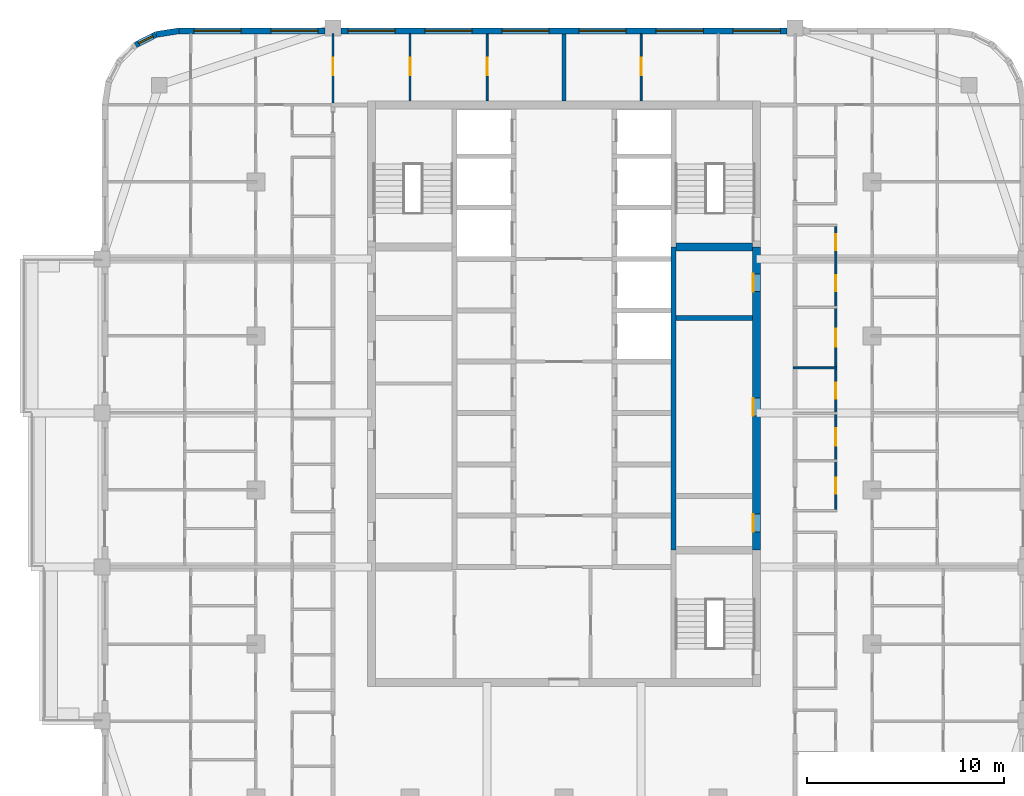
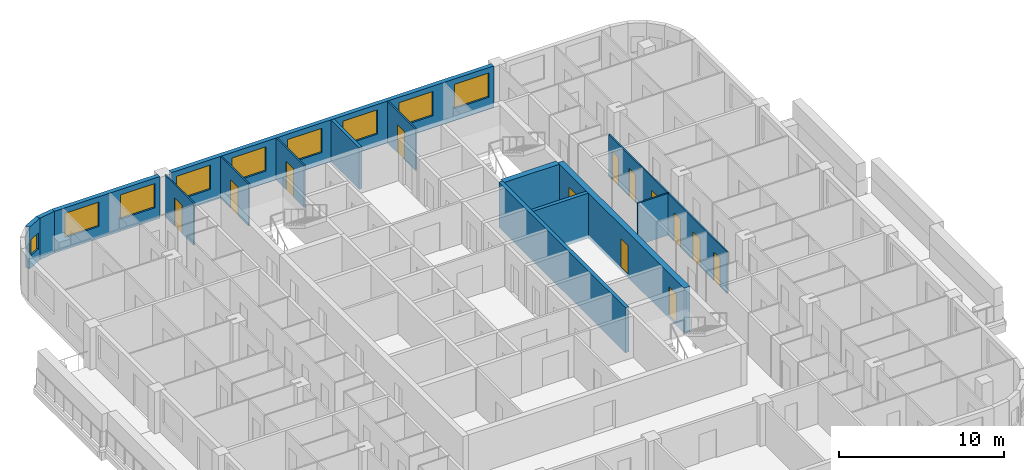
# One storey, part 10 of 16: 15 walls, 13 doors, 9 windows, 22 openings.
"""IFC4 building model written with IfcOpenShell, lengths in metres."""

from ifc_helpers import new_model, si_unit, direction, frame, frame_2d, origin, place, context, subcontext, project, spatial, rectangle, extrude, material, layer, layer_set, type_object, element, fill, save


model = new_model("IFC4")

# Units and contexts
model_context = context("Model", 3, precision=1e-05, world=origin(), true_north=direction((0.0, 1.0)))
body_context = subcontext(model_context, "Body", "Model", "MODEL_VIEW")
ifc_project = project(units=[si_unit("LENGTHUNIT", "METRE"), si_unit("AREAUNIT", "SQUARE_METRE"), si_unit("VOLUMEUNIT", "CUBIC_METRE"), si_unit("PLANEANGLEUNIT", "RADIAN"), si_unit("MASSUNIT", "GRAM", prefix="KILO")], contexts=[model_context])

# Site, building, storey
site_placement = place(None, origin())
site = spatial("IfcSite", under=ifc_project, at=site_placement, CompositionType="ELEMENT")
building_placement = place(site_placement, origin())
building = spatial("IfcBuilding", under=site, at=building_placement, Name="Ludao Terraces", CompositionType="ELEMENT")
storey_placement = place(building_placement, frame((0.0, 0.0, 238.10009765625)))
storey = spatial("IfcBuildingStorey", under=building, at=storey_placement, Name="L65", CompositionType="ELEMENT", Elevation=238.10009765625)

# Wall, openings, doors
ifc_material_1 = material(Name="Concrete C50", Category="concrete")
ifc_layer_1 = layer(ifc_material_1, 0.39990234375)
ifc_layer_set_1 = layer_set([ifc_layer_1], Name="Core wall 400 C50")
wall_type_1 = type_object("IfcWallType", Name="Core wall 400 C50", PredefinedType="SOLIDWALL", material=ifc_layer_set_1)
wall_1_placement = place(storey_placement, frame((94.75, 61.949951171875, -0.25), z_axis=(0.0, 0.0, 1.0), x_axis=(0.0, 1.0, 0.0)))
wall_1 = element("IfcWall", 1, at=wall_1_placement, inside=storey, type_object=wall_type_1, Name="Core wall L65 outer-E", PredefinedType="SOLIDWALL", context=body_context, shape_type="SweptSolid", body=[
    extrude(rectangle(XDim=15.35009765625, YDim=0.39990234375, at=frame_2d((7.675048828125, 0.0))), origin(), (0.0, 0.0, 1.0), 3.349853515625),
])
opening_1_placement = place(wall_1_placement, frame((0.925048828125, 0.0, 0.25)))
opening_1 = element("IfcOpeningElement", 2, at=opening_1_placement, cuts=wall_1, Name="Opening R23-059", PredefinedType="OPENING", context=body_context, shape_type="SweptSolid", body=[
    extrude(rectangle(XDim=0.89990234375, YDim=2.10009765625, at=frame_2d((0.449951171875, 1.050048828125))), frame((0.0, 0.2099609375, 0.0), z_axis=(0.0, -1.0, 0.0), x_axis=(1.0, 0.0, 0.0)), (0.0, 0.0, 1.0), 0.419921875),
])
opening_2_placement = place(wall_1_placement, frame((6.800048828125, 0.0, 0.25)))
opening_2 = element("IfcOpeningElement", 3, at=opening_2_placement, cuts=wall_1, Name="Opening R23-082", PredefinedType="OPENING", context=body_context, shape_type="SweptSolid", body=[
    extrude(rectangle(XDim=0.89990234375, YDim=2.10009765625, at=frame_2d((0.449951171875, 1.050048828125))), frame((0.0, 0.2099609375, 0.0), z_axis=(0.0, -1.0, 0.0), x_axis=(1.0, 0.0, 0.0)), (0.0, 0.0, 1.0), 0.419921875),
])
opening_3_placement = place(wall_1_placement, frame((13.10009765625, 0.0, 0.25)))
opening_3 = element("IfcOpeningElement", 4, at=opening_3_placement, cuts=wall_1, Name="Opening R23-105", PredefinedType="OPENING", context=body_context, shape_type="SweptSolid", body=[
    extrude(rectangle(XDim=0.89990234375, YDim=2.10009765625, at=frame_2d((0.449951171875, 1.050048828125))), frame((0.0, 0.2099609375, 0.0), z_axis=(0.0, -1.0, 0.0), x_axis=(1.0, 0.0, 0.0)), (0.0, 0.0, 1.0), 0.419921875),
])
ifc_material_2 = material(Name="Steel Q235", Category="steel")
door_type_1 = type_object("IfcDoorType", Name="INT Riser door 900", OperationType="SINGLE_SWING_LEFT", PredefinedType="DOOR", material=ifc_material_2)
door_1_placement = place(opening_1_placement, origin())
door_1 = element("IfcDoor", 5, at=door_1_placement, inside=storey, type_object=door_type_1, Name="DOOR 059", OperationType="SINGLE_SWING_LEFT", OverallHeight=2.10009765625, OverallWidth=0.89990234375, PredefinedType="DOOR", context=body_context, shape_type="SweptSolid", body=[
    extrude(rectangle(XDim=0.89990234375, YDim=2.10009765625, at=frame_2d((0.449951171875, 1.050048828125))), frame((0.0, 0.18505859375, 0.0), z_axis=(0.0, -1.0, 0.0), x_axis=(1.0, 0.0, 0.0)), (0.0, 0.0, 1.0), 0.050048828125),
])
fill(opening_1, door_1)
door_2_placement = place(opening_3_placement, origin())
door_2 = element("IfcDoor", 6, at=door_2_placement, inside=storey, type_object=door_type_1, Name="DOOR 105", OperationType="SINGLE_SWING_RIGHT", OverallHeight=2.10009765625, OverallWidth=0.89990234375, PredefinedType="DOOR", context=body_context, shape_type="SweptSolid", body=[
    extrude(rectangle(XDim=0.89990234375, YDim=2.10009765625, at=frame_2d((0.449951171875, 1.050048828125))), frame((0.0, 0.18505859375, 0.0), z_axis=(0.0, -1.0, 0.0), x_axis=(1.0, 0.0, 0.0)), (0.0, 0.0, 1.0), 0.050048828125),
])
fill(opening_3, door_2)
ifc_material_3 = material(Name="Timber door leaf", Category="wood")
door_type_2 = type_object("IfcDoorType", Name="INT Room door 900", OperationType="SINGLE_SWING_LEFT", PredefinedType="DOOR", material=ifc_material_3)
door_3_placement = place(opening_2_placement, origin())
door_3 = element("IfcDoor", 7, at=door_3_placement, inside=storey, type_object=door_type_2, Name="DOOR 082", OperationType="SINGLE_SWING_LEFT", OverallHeight=2.10009765625, OverallWidth=0.89990234375, PredefinedType="DOOR", context=body_context, shape_type="SweptSolid", body=[
    extrude(rectangle(XDim=0.89990234375, YDim=2.10009765625, at=frame_2d((0.449951171875, 1.050048828125))), frame((0.0, 0.18505859375, 0.0), z_axis=(0.0, -1.0, 0.0), x_axis=(1.0, 0.0, 0.0)), (0.0, 0.0, 1.0), 0.050048828125),
])
fill(opening_2, door_3)

# Wall, openings, windows
ifc_material_4 = material(Name="Granite cladding", Category="masonry")
ifc_layer_2 = layer(ifc_material_4, 0.0400390625, Category="stone")
ifc_material_5 = material(Name="Mineral wool")
ifc_layer_3 = layer(ifc_material_5, 0.06005859375)
ifc_material_6 = material(Name="Concrete C40", Category="concrete")
ifc_layer_4 = layer(ifc_material_6, 0.199951171875, Category="concrete")
ifc_layer_set_2 = layer_set([ifc_layer_2, ifc_layer_3, ifc_layer_4], Name="ENV Stone-clad wall 300")
wall_type_2 = type_object("IfcWallType", Name="ENV Stone-clad wall 300", PredefinedType="SOLIDWALL", material=ifc_layer_set_2)
wall_2_placement = place(storey_placement, frame((65.5, 88.25, 0.0), z_axis=(0.0, 0.0, 1.0), x_axis=(1.0, 0.0, 0.0)))
wall_2 = element("IfcWall", 8, at=wall_2_placement, inside=storey, type_object=wall_type_2, Name="EW-L65-N1", PredefinedType="SOLIDWALL", context=body_context, shape_type="SweptSolid", body=[
    extrude(rectangle(XDim=7.39990234375, YDim=0.300048828125, at=frame_2d((3.699951171875, 0.0))), origin(), (0.0, 0.0, 1.0), 3.099853515625),
])
opening_4_placement = place(wall_2_placement, frame((0.75, 0.0, 0.89990234375)))
opening_4 = element("IfcOpeningElement", 9, at=opening_4_placement, cuts=wall_2, Name="Opening W1", PredefinedType="OPENING", context=body_context, shape_type="SweptSolid", body=[
    extrude(rectangle(XDim=2.39990234375, YDim=1.800048828125, at=frame_2d((1.199951171875, 0.89990234375))), frame((0.0, 0.16015625, 0.0), z_axis=(0.0, -1.0, 0.0), x_axis=(1.0, 0.0, 0.0)), (0.0, 0.0, 1.0), 0.320068359375),
])
opening_5_placement = place(wall_2_placement, frame((4.64990234375, 0.0, 0.89990234375)))
opening_5 = element("IfcOpeningElement", 10, at=opening_5_placement, cuts=wall_2, Name="Opening W1", PredefinedType="OPENING", context=body_context, shape_type="SweptSolid", body=[
    extrude(rectangle(XDim=2.39990234375, YDim=1.800048828125, at=frame_2d((1.199951171875, 0.89990234375))), frame((0.0, 0.16015625, 0.0), z_axis=(0.0, -1.0, 0.0), x_axis=(1.0, 0.0, 0.0)), (0.0, 0.0, 1.0), 0.320068359375),
])
ifc_material_7 = material(Name="Clear glass in aluminium frame", Category="aluminium")
ifc_layer_5 = layer(ifc_material_7, 0.06005859375)
ifc_layer_set_3 = layer_set([ifc_layer_5], Name="ENV Window W1 2400x1800")
window_type_1 = type_object("IfcWindowType", Name="ENV Window W1 2400x1800", PartitioningType="DOUBLE_PANEL_VERTICAL", PredefinedType="WINDOW", material=ifc_layer_set_3)
window_1_placement = place(opening_4_placement, origin())
window_1 = element("IfcWindow", 11, at=window_1_placement, inside=storey, type_object=window_type_1, Name="W-L65-N1-1", OverallHeight=1.800048828125, OverallWidth=2.39990234375, PartitioningType="DOUBLE_PANEL_VERTICAL", PredefinedType="WINDOW", context=body_context, shape_type="SweptSolid", body=[
    extrude(rectangle(XDim=2.39990234375, YDim=1.800048828125, at=frame_2d((1.199951171875, 0.89990234375))), frame((0.0, 0.030029296875, 0.0), z_axis=(0.0, -1.0, 0.0), x_axis=(1.0, 0.0, 0.0)), (0.0, 0.0, 1.0), 0.06005859375),
])
fill(opening_4, window_1)
window_2_placement = place(opening_5_placement, origin())
window_2 = element("IfcWindow", 12, at=window_2_placement, inside=storey, type_object=window_type_1, Name="W-L65-N1-2", OverallHeight=1.800048828125, OverallWidth=2.39990234375, PartitioningType="DOUBLE_PANEL_VERTICAL", PredefinedType="WINDOW", context=body_context, shape_type="SweptSolid", body=[
    extrude(rectangle(XDim=2.39990234375, YDim=1.800048828125, at=frame_2d((1.199951171875, 0.89990234375))), frame((0.0, 0.030029296875, 0.0), z_axis=(0.0, -1.0, 0.0), x_axis=(1.0, 0.0, 0.0)), (0.0, 0.0, 1.0), 0.06005859375),
])
fill(opening_5, window_2)

wall_3_placement = place(storey_placement, frame((73.699951171875, 88.25, 0.0), z_axis=(0.0, 0.0, 1.0), x_axis=(1.0, 0.0, 0.0)))
wall_3 = element("IfcWall", 13, at=wall_3_placement, inside=storey, type_object=wall_type_2, Name="EW-L65-N2", PredefinedType="SOLIDWALL", context=body_context, shape_type="SweptSolid", body=[
    extrude(rectangle(XDim=22.60009765625, YDim=0.300048828125, at=frame_2d((11.300048828125, 0.0))), origin(), (0.0, 0.0, 1.0), 3.099853515625),
])
opening_6_placement = place(wall_3_placement, frame((0.35009765625, 0.0, 0.89990234375)))
opening_6 = element("IfcOpeningElement", 14, at=opening_6_placement, cuts=wall_3, Name="Opening W1", PredefinedType="OPENING", context=body_context, shape_type="SweptSolid", body=[
    extrude(rectangle(XDim=2.39990234375, YDim=1.800048828125, at=frame_2d((1.199951171875, 0.89990234375))), frame((0.0, 0.16015625, 0.0), z_axis=(0.0, -1.0, 0.0), x_axis=(1.0, 0.0, 0.0)), (0.0, 0.0, 1.0), 0.320068359375),
])
opening_7_placement = place(wall_3_placement, frame((4.25, 0.0, 0.89990234375)))
opening_7 = element("IfcOpeningElement", 15, at=opening_7_placement, cuts=wall_3, Name="Opening W1", PredefinedType="OPENING", context=body_context, shape_type="SweptSolid", body=[
    extrude(rectangle(XDim=2.39990234375, YDim=1.800048828125, at=frame_2d((1.199951171875, 0.89990234375))), frame((0.0, 0.16015625, 0.0), z_axis=(0.0, -1.0, 0.0), x_axis=(1.0, 0.0, 0.0)), (0.0, 0.0, 1.0), 0.320068359375),
])
opening_8_placement = place(wall_3_placement, frame((8.14990234375, 0.0, 0.89990234375)))
opening_8 = element("IfcOpeningElement", 16, at=opening_8_placement, cuts=wall_3, Name="Opening W1", PredefinedType="OPENING", context=body_context, shape_type="SweptSolid", body=[
    extrude(rectangle(XDim=2.39990234375, YDim=1.800048828125, at=frame_2d((1.199951171875, 0.89990234375))), frame((0.0, 0.16015625, 0.0), z_axis=(0.0, -1.0, 0.0), x_axis=(1.0, 0.0, 0.0)), (0.0, 0.0, 1.0), 0.320068359375),
])
opening_9_placement = place(wall_3_placement, frame((12.050048828125, 0.0, 0.89990234375)))
opening_9 = element("IfcOpeningElement", 17, at=opening_9_placement, cuts=wall_3, Name="Opening W1", PredefinedType="OPENING", context=body_context, shape_type="SweptSolid", body=[
    extrude(rectangle(XDim=2.39990234375, YDim=1.800048828125, at=frame_2d((1.199951171875, 0.89990234375))), frame((0.0, 0.16015625, 0.0), z_axis=(0.0, -1.0, 0.0), x_axis=(1.0, 0.0, 0.0)), (0.0, 0.0, 1.0), 0.320068359375),
])
opening_10_placement = place(wall_3_placement, frame((15.949951171875, 0.0, 0.89990234375)))
opening_10 = element("IfcOpeningElement", 18, at=opening_10_placement, cuts=wall_3, Name="Opening W1", PredefinedType="OPENING", context=body_context, shape_type="SweptSolid", body=[
    extrude(rectangle(XDim=2.39990234375, YDim=1.800048828125, at=frame_2d((1.199951171875, 0.89990234375))), frame((0.0, 0.16015625, 0.0), z_axis=(0.0, -1.0, 0.0), x_axis=(1.0, 0.0, 0.0)), (0.0, 0.0, 1.0), 0.320068359375),
])
opening_11_placement = place(wall_3_placement, frame((19.85009765625, 0.0, 0.89990234375)))
opening_11 = element("IfcOpeningElement", 19, at=opening_11_placement, cuts=wall_3, Name="Opening W1", PredefinedType="OPENING", context=body_context, shape_type="SweptSolid", body=[
    extrude(rectangle(XDim=2.39990234375, YDim=1.800048828125, at=frame_2d((1.199951171875, 0.89990234375))), frame((0.0, 0.16015625, 0.0), z_axis=(0.0, -1.0, 0.0), x_axis=(1.0, 0.0, 0.0)), (0.0, 0.0, 1.0), 0.320068359375),
])
window_3_placement = place(opening_6_placement, origin())
window_3 = element("IfcWindow", 20, at=window_3_placement, inside=storey, type_object=window_type_1, Name="W-L65-N2-1", OverallHeight=1.800048828125, OverallWidth=2.39990234375, PartitioningType="DOUBLE_PANEL_VERTICAL", PredefinedType="WINDOW", context=body_context, shape_type="SweptSolid", body=[
    extrude(rectangle(XDim=2.39990234375, YDim=1.800048828125, at=frame_2d((1.199951171875, 0.89990234375))), frame((0.0, 0.030029296875, 0.0), z_axis=(0.0, -1.0, 0.0), x_axis=(1.0, 0.0, 0.0)), (0.0, 0.0, 1.0), 0.06005859375),
])
fill(opening_6, window_3)
window_4_placement = place(opening_7_placement, origin())
window_4 = element("IfcWindow", 21, at=window_4_placement, inside=storey, type_object=window_type_1, Name="W-L65-N2-2", OverallHeight=1.800048828125, OverallWidth=2.39990234375, PartitioningType="DOUBLE_PANEL_VERTICAL", PredefinedType="WINDOW", context=body_context, shape_type="SweptSolid", body=[
    extrude(rectangle(XDim=2.39990234375, YDim=1.800048828125, at=frame_2d((1.199951171875, 0.89990234375))), frame((0.0, 0.030029296875, 0.0), z_axis=(0.0, -1.0, 0.0), x_axis=(1.0, 0.0, 0.0)), (0.0, 0.0, 1.0), 0.06005859375),
])
fill(opening_7, window_4)
window_5_placement = place(opening_8_placement, origin())
window_5 = element("IfcWindow", 22, at=window_5_placement, inside=storey, type_object=window_type_1, Name="W-L65-N2-3", OverallHeight=1.800048828125, OverallWidth=2.39990234375, PartitioningType="DOUBLE_PANEL_VERTICAL", PredefinedType="WINDOW", context=body_context, shape_type="SweptSolid", body=[
    extrude(rectangle(XDim=2.39990234375, YDim=1.800048828125, at=frame_2d((1.199951171875, 0.89990234375))), frame((0.0, 0.030029296875, 0.0), z_axis=(0.0, -1.0, 0.0), x_axis=(1.0, 0.0, 0.0)), (0.0, 0.0, 1.0), 0.06005859375),
])
fill(opening_8, window_5)
window_6_placement = place(opening_9_placement, origin())
window_6 = element("IfcWindow", 23, at=window_6_placement, inside=storey, type_object=window_type_1, Name="W-L65-N2-4", OverallHeight=1.800048828125, OverallWidth=2.39990234375, PartitioningType="DOUBLE_PANEL_VERTICAL", PredefinedType="WINDOW", context=body_context, shape_type="SweptSolid", body=[
    extrude(rectangle(XDim=2.39990234375, YDim=1.800048828125, at=frame_2d((1.199951171875, 0.89990234375))), frame((0.0, 0.030029296875, 0.0), z_axis=(0.0, -1.0, 0.0), x_axis=(1.0, 0.0, 0.0)), (0.0, 0.0, 1.0), 0.06005859375),
])
fill(opening_9, window_6)
window_7_placement = place(opening_10_placement, origin())
window_7 = element("IfcWindow", 24, at=window_7_placement, inside=storey, type_object=window_type_1, Name="W-L65-N2-5", OverallHeight=1.800048828125, OverallWidth=2.39990234375, PartitioningType="DOUBLE_PANEL_VERTICAL", PredefinedType="WINDOW", context=body_context, shape_type="SweptSolid", body=[
    extrude(rectangle(XDim=2.39990234375, YDim=1.800048828125, at=frame_2d((1.199951171875, 0.89990234375))), frame((0.0, 0.030029296875, 0.0), z_axis=(0.0, -1.0, 0.0), x_axis=(1.0, 0.0, 0.0)), (0.0, 0.0, 1.0), 0.06005859375),
])
fill(opening_10, window_7)
window_8_placement = place(opening_11_placement, origin())
window_8 = element("IfcWindow", 25, at=window_8_placement, inside=storey, type_object=window_type_1, Name="W-L65-N2-6", OverallHeight=1.800048828125, OverallWidth=2.39990234375, PartitioningType="DOUBLE_PANEL_VERTICAL", PredefinedType="WINDOW", context=body_context, shape_type="SweptSolid", body=[
    extrude(rectangle(XDim=2.39990234375, YDim=1.800048828125, at=frame_2d((1.199951171875, 0.89990234375))), frame((0.0, 0.030029296875, 0.0), z_axis=(0.0, -1.0, 0.0), x_axis=(1.0, 0.0, 0.0)), (0.0, 0.0, 1.0), 0.06005859375),
])
fill(opening_11, window_8)

# Wall
wall_4_placement = place(storey_placement, frame((65.5, 88.25, 0.0), z_axis=(0.0, 0.0, 1.0), x_axis=(-0.987678452879, -0.156496880861, 0.0)))
element("IfcWall", 26, at=wall_4_placement, inside=storey, type_object=wall_type_2, Name="EW-L65-NW1", PredefinedType="SOLIDWALL", context=body_context, shape_type="SweptSolid", body=[
    extrude(rectangle(XDim=1.173095703125, YDim=0.300048828125, at=frame_2d((0.58642578125, 0.0))), origin(), (0.0, 0.0, 1.0), 3.099853515625),
])

# Wall, opening, window
wall_5_placement = place(storey_placement, frame((64.34130859375, 88.06640625, 0.0), z_axis=(0.0, 0.0, 1.0), x_axis=(-0.890988677504, -0.454025524128, 0.0)))
wall_5 = element("IfcWall", 27, at=wall_5_placement, inside=storey, type_object=wall_type_2, Name="EW-L65-NW2", PredefinedType="SOLIDWALL", context=body_context, shape_type="SweptSolid", body=[
    extrude(rectangle(XDim=1.17333984375, YDim=0.300048828125, at=frame_2d((0.586669921875, 0.0))), origin(), (0.0, 0.0, 1.0), 3.099853515625),
])
opening_12_placement = place(wall_5_placement, frame((0.1865234375, 0.0, 0.89990234375)))
opening_12 = element("IfcOpeningElement", 28, at=opening_12_placement, cuts=wall_5, Name="Opening W3", PredefinedType="OPENING", context=body_context, shape_type="SweptSolid", body=[
    extrude(rectangle(XDim=0.800048828125, YDim=1.199951171875, at=frame_2d((0.39990234375, 0.60009765625))), frame((0.0, 0.16015625, 0.0), z_axis=(0.0, -1.0, 0.0), x_axis=(1.0, 0.0, 0.0)), (0.0, 0.0, 1.0), 0.320068359375),
])
ifc_layer_6 = layer(ifc_material_7, 0.06005859375)
ifc_layer_set_4 = layer_set([ifc_layer_6], Name="ENV Window W3 800x1200")
window_type_2 = type_object("IfcWindowType", Name="ENV Window W3 800x1200", PartitioningType="SINGLE_PANEL", PredefinedType="WINDOW", material=ifc_layer_set_4)
window_9_placement = place(opening_12_placement, origin())
window_9 = element("IfcWindow", 29, at=window_9_placement, inside=storey, type_object=window_type_2, Name="W-L65-NW2", OverallHeight=1.199951171875, OverallWidth=0.800048828125, PartitioningType="SINGLE_PANEL", PredefinedType="WINDOW", context=body_context, shape_type="SweptSolid", body=[
    extrude(rectangle(XDim=0.800048828125, YDim=1.199951171875, at=frame_2d((0.39990234375, 0.60009765625))), frame((0.0, 0.030029296875, 0.0), z_axis=(0.0, -1.0, 0.0), x_axis=(1.0, 0.0, 0.0)), (0.0, 0.0, 1.0), 0.06005859375),
])
fill(opening_12, window_9)

# Wall
ifc_material_8 = material(Name="Gypsum plasterboard", Category="gypsum")
ifc_layer_7 = layer(ifc_material_8, 0.012451171875, Category="gypsum")
ifc_layer_8 = layer(ifc_material_5, 0.06005859375, Name="insulation")
ifc_layer_9 = layer(ifc_material_2, 0.014892578125, Name="stud")
ifc_layer_10 = layer(ifc_material_8, 0.012451171875, Category="gypsum")
ifc_layer_set_5 = layer_set([ifc_layer_7, ifc_layer_8, ifc_layer_9, ifc_layer_10], Name="INT Partition 100")
wall_type_3 = type_object("IfcWallType", Name="INT Partition 100", PredefinedType="PARTITIONING", material=ifc_layer_set_5)
wall_6_placement = place(storey_placement, frame((96.60009765625, 71.179931640625, 0.0), z_axis=(0.0, 0.0, 1.0), x_axis=(1.0, 0.0, 0.0)))
element("IfcWall", 30, at=wall_6_placement, inside=storey, type_object=wall_type_3, Name="PW-L65-PW049", PredefinedType="PARTITIONING", context=body_context, shape_type="SweptSolid", body=[
    extrude(rectangle(XDim=2.219970703125, YDim=0.10009765625, at=frame_2d((1.10986328125, 0.0))), origin(), (0.0, 0.0, 1.0), 3.099853515625),
])

# Wall, opening, door
wall_7_placement = place(storey_placement, frame((73.300048828125, 84.60009765625, 0.0), z_axis=(0.0, 0.0, 1.0), x_axis=(0.0, 1.0, 0.0)))
wall_7 = element("IfcWall", 31, at=wall_7_placement, inside=storey, type_object=wall_type_3, Name="PW-L65-PW081", PredefinedType="PARTITIONING", context=body_context, shape_type="SweptSolid", body=[
    extrude(rectangle(XDim=3.5, YDim=0.10009765625, at=frame_2d((1.75, 0.0))), origin(), (0.0, 0.0, 1.0), 3.099853515625),
])
opening_13_placement = place(wall_7_placement, frame((1.39990234375, 0.0, 0.0)))
opening_13 = element("IfcOpeningElement", 32, at=opening_13_placement, cuts=wall_7, Name="Opening R23-137", PredefinedType="OPENING", context=body_context, shape_type="SweptSolid", body=[
    extrude(rectangle(XDim=0.89990234375, YDim=2.10009765625, at=frame_2d((0.449951171875, 1.050048828125))), frame((0.0, 0.06005859375, 0.0), z_axis=(0.0, -1.0, 0.0), x_axis=(1.0, 0.0, 0.0)), (0.0, 0.0, 1.0), 0.1201171875),
])
door_4_placement = place(opening_13_placement, origin())
door_4 = element("IfcDoor", 33, at=door_4_placement, inside=storey, type_object=door_type_2, Name="DOOR 137", OperationType="SINGLE_SWING_LEFT", OverallHeight=2.10009765625, OverallWidth=0.89990234375, PredefinedType="DOOR", context=body_context, shape_type="SweptSolid", body=[
    extrude(rectangle(XDim=0.89990234375, YDim=2.10009765625, at=frame_2d((0.449951171875, 1.050048828125))), frame((0.0, 0.02490234375, 0.0), z_axis=(0.0, -1.0, 0.0), x_axis=(1.0, 0.0, 0.0)), (0.0, 0.0, 1.0), 0.050048828125),
])
fill(opening_13, door_4)

wall_8_placement = place(storey_placement, frame((77.199951171875, 84.7001953125, 0.0), z_axis=(0.0, 0.0, 1.0), x_axis=(0.0, 1.0, 0.0)))
wall_8 = element("IfcWall", 34, at=wall_8_placement, inside=storey, type_object=wall_type_3, Name="PW-L65-PW082", PredefinedType="PARTITIONING", context=body_context, shape_type="SweptSolid", body=[
    extrude(rectangle(XDim=3.39990234375, YDim=0.10009765625, at=frame_2d((1.699951171875, 0.0))), origin(), (0.0, 0.0, 1.0), 3.099853515625),
])
opening_14_placement = place(wall_8_placement, frame((1.2998046875, 0.0, 0.0)))
opening_14 = element("IfcOpeningElement", 35, at=opening_14_placement, cuts=wall_8, Name="Opening R23-138", PredefinedType="OPENING", context=body_context, shape_type="SweptSolid", body=[
    extrude(rectangle(XDim=0.89990234375, YDim=2.10009765625, at=frame_2d((0.449951171875, 1.050048828125))), frame((0.0, 0.06005859375, 0.0), z_axis=(0.0, -1.0, 0.0), x_axis=(1.0, 0.0, 0.0)), (0.0, 0.0, 1.0), 0.1201171875),
])
door_5_placement = place(opening_14_placement, origin())
door_5 = element("IfcDoor", 36, at=door_5_placement, inside=storey, type_object=door_type_2, Name="DOOR 138", OperationType="SINGLE_SWING_LEFT", OverallHeight=2.10009765625, OverallWidth=0.89990234375, PredefinedType="DOOR", context=body_context, shape_type="SweptSolid", body=[
    extrude(rectangle(XDim=0.89990234375, YDim=2.10009765625, at=frame_2d((0.449951171875, 1.050048828125))), frame((0.0, 0.02490234375, 0.0), z_axis=(0.0, -1.0, 0.0), x_axis=(1.0, 0.0, 0.0)), (0.0, 0.0, 1.0), 0.050048828125),
])
fill(opening_14, door_5)

wall_9_placement = place(storey_placement, frame((81.10009765625, 84.7001953125, 0.0), z_axis=(0.0, 0.0, 1.0), x_axis=(0.0, 1.0, 0.0)))
wall_9 = element("IfcWall", 37, at=wall_9_placement, inside=storey, type_object=wall_type_3, Name="PW-L65-PW085", PredefinedType="PARTITIONING", context=body_context, shape_type="SweptSolid", body=[
    extrude(rectangle(XDim=3.39990234375, YDim=0.10009765625, at=frame_2d((1.699951171875, 0.0))), origin(), (0.0, 0.0, 1.0), 3.099853515625),
])
opening_15_placement = place(wall_9_placement, frame((1.2998046875, 0.0, 0.0)))
opening_15 = element("IfcOpeningElement", 38, at=opening_15_placement, cuts=wall_9, Name="Opening R23-139", PredefinedType="OPENING", context=body_context, shape_type="SweptSolid", body=[
    extrude(rectangle(XDim=0.89990234375, YDim=2.10009765625, at=frame_2d((0.449951171875, 1.050048828125))), frame((0.0, 0.06005859375, 0.0), z_axis=(0.0, -1.0, 0.0), x_axis=(1.0, 0.0, 0.0)), (0.0, 0.0, 1.0), 0.1201171875),
])
door_6_placement = place(opening_15_placement, origin())
door_6 = element("IfcDoor", 39, at=door_6_placement, inside=storey, type_object=door_type_2, Name="DOOR 139", OperationType="SINGLE_SWING_LEFT", OverallHeight=2.10009765625, OverallWidth=0.89990234375, PredefinedType="DOOR", context=body_context, shape_type="SweptSolid", body=[
    extrude(rectangle(XDim=0.89990234375, YDim=2.10009765625, at=frame_2d((0.449951171875, 1.050048828125))), frame((0.0, 0.02490234375, 0.0), z_axis=(0.0, -1.0, 0.0), x_axis=(1.0, 0.0, 0.0)), (0.0, 0.0, 1.0), 0.050048828125),
])
fill(opening_15, door_6)

wall_10_placement = place(storey_placement, frame((88.89990234375, 84.7001953125, 0.0), z_axis=(0.0, 0.0, 1.0), x_axis=(0.0, 1.0, 0.0)))
wall_10 = element("IfcWall", 40, at=wall_10_placement, inside=storey, type_object=wall_type_3, Name="PW-L65-PW089", PredefinedType="PARTITIONING", context=body_context, shape_type="SweptSolid", body=[
    extrude(rectangle(XDim=3.39990234375, YDim=0.10009765625, at=frame_2d((1.699951171875, 0.0))), origin(), (0.0, 0.0, 1.0), 3.099853515625),
])
opening_16_placement = place(wall_10_placement, frame((1.2998046875, 0.0, 0.0)))
opening_16 = element("IfcOpeningElement", 41, at=opening_16_placement, cuts=wall_10, Name="Opening R23-140", PredefinedType="OPENING", context=body_context, shape_type="SweptSolid", body=[
    extrude(rectangle(XDim=0.89990234375, YDim=2.10009765625, at=frame_2d((0.449951171875, 1.050048828125))), frame((0.0, 0.06005859375, 0.0), z_axis=(0.0, -1.0, 0.0), x_axis=(1.0, 0.0, 0.0)), (0.0, 0.0, 1.0), 0.1201171875),
])
door_7_placement = place(opening_16_placement, origin())
door_7 = element("IfcDoor", 42, at=door_7_placement, inside=storey, type_object=door_type_2, Name="DOOR 140", OperationType="SINGLE_SWING_RIGHT", OverallHeight=2.10009765625, OverallWidth=0.89990234375, PredefinedType="DOOR", context=body_context, shape_type="SweptSolid", body=[
    extrude(rectangle(XDim=0.89990234375, YDim=2.10009765625, at=frame_2d((0.449951171875, 1.050048828125))), frame((0.0, 0.02490234375, 0.0), z_axis=(0.0, -1.0, 0.0), x_axis=(1.0, 0.0, 0.0)), (0.0, 0.0, 1.0), 0.050048828125),
])
fill(opening_16, door_7)

# Wall, openings, doors
wall_11_placement = place(storey_placement, frame((98.77001953125, 64.0, 0.0), z_axis=(0.0, 0.0, 1.0), x_axis=(0.0, 1.0, 0.0)))
wall_11 = element("IfcWall", 43, at=wall_11_placement, inside=storey, type_object=wall_type_3, Name="PW-L65-PW097", PredefinedType="PARTITIONING", context=body_context, shape_type="SweptSolid", body=[
    extrude(rectangle(XDim=14.35009765625, YDim=0.10009765625, at=frame_2d((7.175048828125, 0.0))), origin(), (0.0, 0.0, 1.0), 3.099853515625),
])
opening_17_placement = place(wall_11_placement, frame((0.815185546875, 0.0, 0.0)))
opening_17 = element("IfcOpeningElement", 44, at=opening_17_placement, cuts=wall_11, Name="Opening R23-070", PredefinedType="OPENING", context=body_context, shape_type="SweptSolid", body=[
    extrude(rectangle(XDim=0.800048828125, YDim=2.10009765625, at=frame_2d((0.39990234375, 1.050048828125))), frame((0.0, 0.06005859375, 0.0), z_axis=(0.0, -1.0, 0.0), x_axis=(1.0, 0.0, 0.0)), (0.0, 0.0, 1.0), 0.1201171875),
])
opening_18_placement = place(wall_11_placement, frame((3.22998046875, 0.0, 0.0)))
opening_18 = element("IfcOpeningElement", 45, at=opening_18_placement, cuts=wall_11, Name="Opening R23-077", PredefinedType="OPENING", context=body_context, shape_type="SweptSolid", body=[
    extrude(rectangle(XDim=0.89990234375, YDim=2.10009765625, at=frame_2d((0.449951171875, 1.050048828125))), frame((0.0, 0.06005859375, 0.0), z_axis=(0.0, -1.0, 0.0), x_axis=(1.0, 0.0, 0.0)), (0.0, 0.0, 1.0), 0.1201171875),
])
opening_19_placement = place(wall_11_placement, frame((5.630126953125, 0.0, 0.0)))
opening_19 = element("IfcOpeningElement", 46, at=opening_19_placement, cuts=wall_11, Name="Opening R23-084", PredefinedType="OPENING", context=body_context, shape_type="SweptSolid", body=[
    extrude(rectangle(XDim=0.800048828125, YDim=2.10009765625, at=frame_2d((0.39990234375, 1.050048828125))), frame((0.0, 0.06005859375, 0.0), z_axis=(0.0, -1.0, 0.0), x_axis=(1.0, 0.0, 0.0)), (0.0, 0.0, 1.0), 0.1201171875),
])
opening_20_placement = place(wall_11_placement, frame((8.26513671875, 0.0, 0.0)))
opening_20 = element("IfcOpeningElement", 47, at=opening_20_placement, cuts=wall_11, Name="Opening R23-094", PredefinedType="OPENING", context=body_context, shape_type="SweptSolid", body=[
    extrude(rectangle(XDim=0.89990234375, YDim=2.10009765625, at=frame_2d((0.449951171875, 1.050048828125))), frame((0.0, 0.06005859375, 0.0), z_axis=(0.0, -1.0, 0.0), x_axis=(1.0, 0.0, 0.0)), (0.0, 0.0, 1.0), 0.1201171875),
])
opening_21_placement = place(wall_11_placement, frame((11.0751953125, 0.0, 0.0)))
opening_21 = element("IfcOpeningElement", 48, at=opening_21_placement, cuts=wall_11, Name="Opening R23-103", PredefinedType="OPENING", context=body_context, shape_type="SweptSolid", body=[
    extrude(rectangle(XDim=0.800048828125, YDim=2.10009765625, at=frame_2d((0.39990234375, 1.050048828125))), frame((0.0, 0.06005859375, 0.0), z_axis=(0.0, -1.0, 0.0), x_axis=(1.0, 0.0, 0.0)), (0.0, 0.0, 1.0), 0.1201171875),
])
opening_22_placement = place(wall_11_placement, frame((13.150146484375, 0.0, 0.0)))
opening_22 = element("IfcOpeningElement", 49, at=opening_22_placement, cuts=wall_11, Name="Opening R23-109", PredefinedType="OPENING", context=body_context, shape_type="SweptSolid", body=[
    extrude(rectangle(XDim=0.800048828125, YDim=2.10009765625, at=frame_2d((0.39990234375, 1.050048828125))), frame((0.0, 0.06005859375, 0.0), z_axis=(0.0, -1.0, 0.0), x_axis=(1.0, 0.0, 0.0)), (0.0, 0.0, 1.0), 0.1201171875),
])
door_type_3 = type_object("IfcDoorType", Name="INT Bathroom door 900", OperationType="SINGLE_SWING_LEFT", PredefinedType="DOOR", material=ifc_material_3)
door_8_placement = place(opening_18_placement, origin())
door_8 = element("IfcDoor", 50, at=door_8_placement, inside=storey, type_object=door_type_3, Name="DOOR 077", OperationType="SINGLE_SWING_LEFT", OverallHeight=2.10009765625, OverallWidth=0.89990234375, PredefinedType="DOOR", context=body_context, shape_type="SweptSolid", body=[
    extrude(rectangle(XDim=0.89990234375, YDim=2.10009765625, at=frame_2d((0.449951171875, 1.050048828125))), frame((0.0, 0.02490234375, 0.0), z_axis=(0.0, -1.0, 0.0), x_axis=(1.0, 0.0, 0.0)), (0.0, 0.0, 1.0), 0.050048828125),
])
fill(opening_18, door_8)
door_9_placement = place(opening_20_placement, origin())
door_9 = element("IfcDoor", 51, at=door_9_placement, inside=storey, type_object=door_type_2, Name="DOOR 094", OperationType="SINGLE_SWING_LEFT", OverallHeight=2.10009765625, OverallWidth=0.89990234375, PredefinedType="DOOR", context=body_context, shape_type="SweptSolid", body=[
    extrude(rectangle(XDim=0.89990234375, YDim=2.10009765625, at=frame_2d((0.449951171875, 1.050048828125))), frame((0.0, 0.02490234375, 0.0), z_axis=(0.0, -1.0, 0.0), x_axis=(1.0, 0.0, 0.0)), (0.0, 0.0, 1.0), 0.050048828125),
])
fill(opening_20, door_9)
door_type_4 = type_object("IfcDoorType", Name="INT Store door 800", OperationType="SINGLE_SWING_LEFT", PredefinedType="DOOR", material=ifc_material_3)
door_10_placement = place(opening_17_placement, origin())
door_10 = element("IfcDoor", 52, at=door_10_placement, inside=storey, type_object=door_type_4, Name="DOOR 070", OperationType="SINGLE_SWING_LEFT", OverallHeight=2.10009765625, OverallWidth=0.800048828125, PredefinedType="DOOR", context=body_context, shape_type="SweptSolid", body=[
    extrude(rectangle(XDim=0.800048828125, YDim=2.10009765625, at=frame_2d((0.39990234375, 1.050048828125))), frame((0.0, 0.02490234375, 0.0), z_axis=(0.0, -1.0, 0.0), x_axis=(1.0, 0.0, 0.0)), (0.0, 0.0, 1.0), 0.050048828125),
])
fill(opening_17, door_10)
door_11_placement = place(opening_19_placement, origin())
door_11 = element("IfcDoor", 53, at=door_11_placement, inside=storey, type_object=door_type_4, Name="DOOR 084", OperationType="SINGLE_SWING_LEFT", OverallHeight=2.10009765625, OverallWidth=0.800048828125, PredefinedType="DOOR", context=body_context, shape_type="SweptSolid", body=[
    extrude(rectangle(XDim=0.800048828125, YDim=2.10009765625, at=frame_2d((0.39990234375, 1.050048828125))), frame((0.0, 0.02490234375, 0.0), z_axis=(0.0, -1.0, 0.0), x_axis=(1.0, 0.0, 0.0)), (0.0, 0.0, 1.0), 0.050048828125),
])
fill(opening_19, door_11)
door_12_placement = place(opening_21_placement, origin())
door_12 = element("IfcDoor", 54, at=door_12_placement, inside=storey, type_object=door_type_4, Name="DOOR 103", OperationType="SINGLE_SWING_RIGHT", OverallHeight=2.10009765625, OverallWidth=0.800048828125, PredefinedType="DOOR", context=body_context, shape_type="SweptSolid", body=[
    extrude(rectangle(XDim=0.800048828125, YDim=2.10009765625, at=frame_2d((0.39990234375, 1.050048828125))), frame((0.0, 0.02490234375, 0.0), z_axis=(0.0, -1.0, 0.0), x_axis=(1.0, 0.0, 0.0)), (0.0, 0.0, 1.0), 0.050048828125),
])
fill(opening_21, door_12)
door_13_placement = place(opening_22_placement, origin())
door_13 = element("IfcDoor", 55, at=door_13_placement, inside=storey, type_object=door_type_4, Name="DOOR 109", OperationType="SINGLE_SWING_LEFT", OverallHeight=2.10009765625, OverallWidth=0.800048828125, PredefinedType="DOOR", context=body_context, shape_type="SweptSolid", body=[
    extrude(rectangle(XDim=0.800048828125, YDim=2.10009765625, at=frame_2d((0.39990234375, 1.050048828125))), frame((0.0, 0.02490234375, 0.0), z_axis=(0.0, -1.0, 0.0), x_axis=(1.0, 0.0, 0.0)), (0.0, 0.0, 1.0), 0.050048828125),
])
fill(opening_22, door_13)

# Walls
ifc_material_9 = material(Name="Autoclaved aerated concrete block B06 A3.5", Category="concrete")
ifc_layer_11 = layer(ifc_material_9, 0.199951171875)
ifc_layer_set_6 = layer_set([ifc_layer_11], Name="INT Party wall 200")
wall_type_4 = type_object("IfcWallType", Name="INT Party wall 200", PredefinedType="PARTITIONING", material=ifc_layer_set_6)
wall_12_placement = place(storey_placement, frame((85.0, 84.7001953125, 0.0), z_axis=(0.0, 0.0, 1.0), x_axis=(0.0, 1.0, 0.0)))
element("IfcWall", 56, at=wall_12_placement, inside=storey, type_object=wall_type_4, Name="PW-L65-PW087", PredefinedType="PARTITIONING", context=body_context, shape_type="SweptSolid", body=[
    extrude(rectangle(XDim=3.39990234375, YDim=0.199951171875, at=frame_2d((1.699951171875, 0.0))), origin(), (0.0, 0.0, 1.0), 3.099853515625),
])
ifc_layer_12 = layer(ifc_material_1, 0.25)
ifc_layer_set_7 = layer_set([ifc_layer_12], Name="Shaft wall 250 C50")
wall_type_5 = type_object("IfcWallType", Name="Shaft wall 250 C50", PredefinedType="SOLIDWALL", material=ifc_layer_set_7)
wall_13_placement = place(storey_placement, frame((90.550048828125, 61.949951171875, -0.25), z_axis=(0.0, 0.0, 1.0), x_axis=(0.0, 1.0, 0.0)))
element("IfcWall", 57, at=wall_13_placement, inside=storey, type_object=wall_type_5, Name="Core wall L65 back-E", PredefinedType="SOLIDWALL", context=body_context, shape_type="SweptSolid", body=[
    extrude(rectangle(XDim=15.35009765625, YDim=0.25, at=frame_2d((7.675048828125, 0.0))), origin(), (0.0, 0.0, 1.0), 3.349853515625),
])
wall_14_placement = place(storey_placement, frame((90.675048828125, 73.699951171875, -0.25), z_axis=(0.0, 0.0, 1.0), x_axis=(1.0, 0.0, 0.0)))
element("IfcWall", 58, at=wall_14_placement, inside=storey, type_object=wall_type_5, Name="Core wall L65 riser-b-E", PredefinedType="SOLIDWALL", context=body_context, shape_type="SweptSolid", body=[
    extrude(rectangle(XDim=3.875, YDim=0.25, at=frame_2d((1.9375, 0.0))), origin(), (0.0, 0.0, 1.0), 3.349853515625),
])
ifc_layer_13 = layer(ifc_material_1, 0.39990234375)
ifc_layer_set_8 = layer_set([ifc_layer_13], Name="Shaft wall 400 C50")
wall_type_6 = type_object("IfcWallType", Name="Shaft wall 400 C50", PredefinedType="SOLIDWALL", material=ifc_layer_set_8)
wall_15_placement = place(storey_placement, frame((90.675048828125, 77.300048828125, -0.25), z_axis=(0.0, 0.0, 1.0), x_axis=(1.0, 0.0, 0.0)))
element("IfcWall", 59, at=wall_15_placement, inside=storey, type_object=wall_type_6, Name="Core wall L65 stair-E", PredefinedType="SOLIDWALL", context=body_context, shape_type="SweptSolid", body=[
    extrude(rectangle(XDim=3.875, YDim=0.39990234375, at=frame_2d((1.9375, 0.0))), origin(), (0.0, 0.0, 1.0), 3.349853515625),
])

save(model, "model.ifc")
